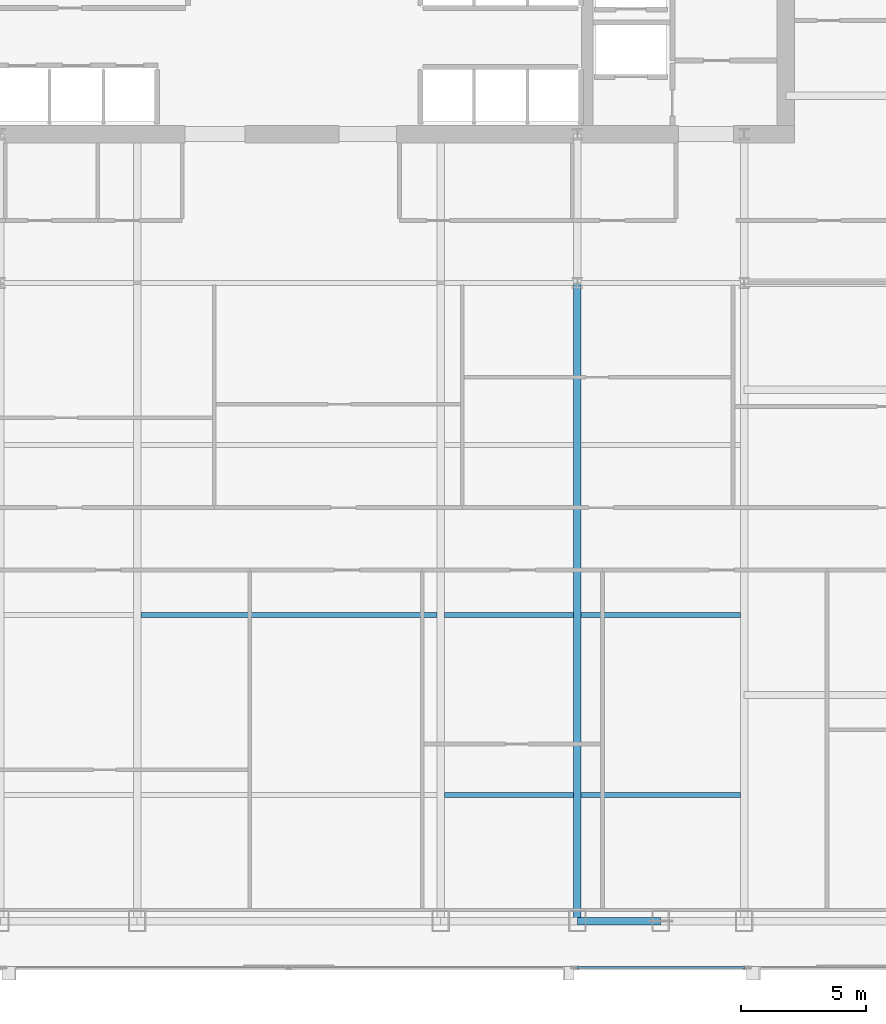
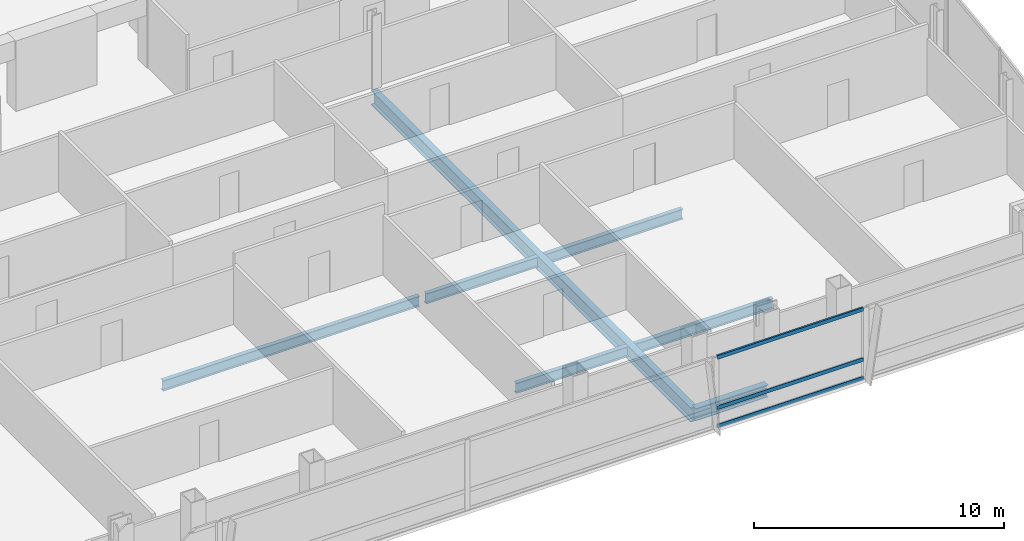
# One storey, part 14 of 29: 7 beams, 3 members, 1 element without a shape of its own.
"""IFC4 building model written with IfcOpenShell, lengths in metres."""

from ifc_helpers import new_model, si_unit, direction, frame, origin, origin_2d, place, context, subcontext, project, spatial, hollow_rectangle, i_section, extrude, material, material_profile, profile_set, type_object, element, aggregate, save


model = new_model("IFC4")

# Units and contexts
model_context = context("Model", 3, precision=1e-05, world=origin(), true_north=direction((0.0, 1.0)))
body_context = subcontext(model_context, "Body", "Model", "MODEL_VIEW")
ifc_project = project(units=[si_unit("LENGTHUNIT", "METRE"), si_unit("AREAUNIT", "SQUARE_METRE"), si_unit("VOLUMEUNIT", "CUBIC_METRE"), si_unit("PLANEANGLEUNIT", "RADIAN"), si_unit("MASSUNIT", "GRAM", prefix="KILO")], contexts=[model_context])

# Site, building, storey
site_placement = place(None, origin())
site = spatial("IfcSite", under=ifc_project, at=site_placement, CompositionType="ELEMENT")
building_placement = place(site_placement, origin())
building = spatial("IfcBuilding", under=site, at=building_placement, Name="Khoronbel Lancet Exchange", CompositionType="ELEMENT")
storey_placement = place(building_placement, frame((0.0, 0.0, 143.39990234375)))
storey = spatial("IfcBuildingStorey", under=building, at=storey_placement, Name="L35", CompositionType="ELEMENT", Elevation=143.39990234375)

# Beams
ifc_material_1 = material(Name="Steel S355", Category="steel")
ifc_material_profile_1 = material_profile(ifc_material_1, i_section(OverallWidth=0.300048828125, OverallDepth=0.699951171875, WebThickness=0.01708984375, FlangeThickness=0.031982421875, at=origin_2d()), Name="HEB 700")
ifc_profile_set_1 = profile_set([ifc_material_profile_1], Name="Steel S355")
beam_type_1 = type_object("IfcBeamType", Name="BM-BG3", PredefinedType="BEAM", material=ifc_profile_set_1)
beam_1_placement = place(storey_placement, frame((48.0, 10.14990234375, -0.510009765625), z_axis=(0.0, 1.0, 0.0), x_axis=(-1.0, 0.0, 0.0)))
element("IfcBeam", 1, at=beam_1_placement, inside=storey, type_object=beam_type_1, Name="Level L35 south primary girder GS5", PredefinedType="BEAM", context=body_context, shape_type="SweptSolid", body=[
    extrude(i_section(OverallWidth=0.300048828125, OverallDepth=0.699951171875, WebThickness=0.01708984375, FlangeThickness=0.031982421875, at=origin_2d()), origin(), (0.0, 0.0, 1.0), 25.550048828125),
])
ifc_material_profile_2 = material_profile(ifc_material_1, i_section(OverallWidth=0.199951171875, OverallDepth=0.5, WebThickness=0.01025390625, FlangeThickness=0.01611328125, at=origin_2d()), Name="IPE 500")
ifc_profile_set_2 = profile_set([ifc_material_profile_2], Name="Steel S355")
beam_type_2 = type_object("IfcBeamType", Name="BM-BJ3", PredefinedType="JOIST", material=ifc_profile_set_2)
beam_2_placement = place(storey_placement, frame((42.675048828125, 15.199951171875, -0.409912109375), z_axis=(1.0, 0.0, 0.0), x_axis=(0.0, 1.0, 0.0)))
element("IfcBeam", 2, at=beam_2_placement, inside=storey, type_object=beam_type_2, Name="Level L35 secondary composite joist J04", PredefinedType="JOIST", context=body_context, shape_type="SweptSolid", body=[
    extrude(i_section(OverallWidth=0.199951171875, OverallDepth=0.5, WebThickness=0.01025390625, FlangeThickness=0.01611328125, at=origin_2d()), origin(), (0.0, 0.0, 1.0), 5.175048828125),
])
beam_3_placement = place(storey_placement, frame((48.14990234375, 15.199951171875, -0.409912109375), z_axis=(1.0, 0.0, 0.0), x_axis=(0.0, 1.0, 0.0)))
element("IfcBeam", 3, at=beam_3_placement, inside=storey, type_object=beam_type_2, Name="Level L35 secondary composite joist J05", PredefinedType="JOIST", context=body_context, shape_type="SweptSolid", body=[
    extrude(i_section(OverallWidth=0.199951171875, OverallDepth=0.5, WebThickness=0.01025390625, FlangeThickness=0.01611328125, at=origin_2d()), origin(), (0.0, 0.0, 1.0), 6.375),
])
beam_4_placement = place(storey_placement, frame((30.52490234375, 22.39990234375, -0.409912109375), z_axis=(1.0, 0.0, 0.0), x_axis=(0.0, 1.0, 0.0)))
element("IfcBeam", 4, at=beam_4_placement, inside=storey, type_object=beam_type_2, Name="Level L35 secondary composite joist J08", PredefinedType="JOIST", context=body_context, shape_type="SweptSolid", body=[
    extrude(i_section(OverallWidth=0.199951171875, OverallDepth=0.5, WebThickness=0.01025390625, FlangeThickness=0.01611328125, at=origin_2d()), origin(), (0.0, 0.0, 1.0), 11.85009765625),
])
beam_5_placement = place(storey_placement, frame((42.675048828125, 22.39990234375, -0.409912109375), z_axis=(1.0, 0.0, 0.0), x_axis=(0.0, 1.0, 0.0)))
element("IfcBeam", 5, at=beam_5_placement, inside=storey, type_object=beam_type_2, Name="Level L35 secondary composite joist J09", PredefinedType="JOIST", context=body_context, shape_type="SweptSolid", body=[
    extrude(i_section(OverallWidth=0.199951171875, OverallDepth=0.5, WebThickness=0.01025390625, FlangeThickness=0.01611328125, at=origin_2d()), origin(), (0.0, 0.0, 1.0), 5.175048828125),
])
beam_6_placement = place(storey_placement, frame((48.14990234375, 22.39990234375, -0.409912109375), z_axis=(1.0, 0.0, 0.0), x_axis=(0.0, 1.0, 0.0)))
element("IfcBeam", 6, at=beam_6_placement, inside=storey, type_object=beam_type_2, Name="Level L35 secondary composite joist J10", PredefinedType="JOIST", context=body_context, shape_type="SweptSolid", body=[
    extrude(i_section(OverallWidth=0.199951171875, OverallDepth=0.5, WebThickness=0.01025390625, FlangeThickness=0.01611328125, at=origin_2d()), origin(), (0.0, 0.0, 1.0), 6.375),
])
ifc_material_profile_3 = material_profile(ifc_material_1, i_section(OverallWidth=0.300048828125, OverallDepth=0.60009765625, WebThickness=0.015380859375, FlangeThickness=0.030029296875, at=origin_2d()), Name="HEB 600")
ifc_profile_set_3 = profile_set([ifc_material_profile_3], Name="Steel S355")
beam_type_3 = type_object("IfcBeamType", Name="BM-BSP2", PredefinedType="SPANDREL", material=ifc_profile_set_3)
beam_7_placement = place(storey_placement, frame((48.0, 10.14990234375, -0.4599609375), z_axis=(1.0, 0.0, 0.0), x_axis=(0.0, 1.0, 0.0)))
element("IfcBeam", 7, at=beam_7_placement, inside=storey, type_object=beam_type_3, Name="Level L35 perimeter spandrel beam SP07", PredefinedType="SPANDREL", context=body_context, shape_type="SweptSolid", body=[
    extrude(i_section(OverallWidth=0.300048828125, OverallDepth=0.60009765625, WebThickness=0.015380859375, FlangeThickness=0.030029296875, at=origin_2d()), origin(), (0.0, 0.0, 1.0), 3.33740234375),
])

# Curtain wall, members
ifc_material_2 = material(Name="Low-E Solar Control Insulating Glass", Category="glass")
curtain_wall_type = type_object("IfcCurtainWallType", Name="CW-3", PredefinedType="NOTDEFINED", material=ifc_material_2)
curtain_wall_placement = place(storey_placement, origin())
curtain_wall = element("IfcCurtainWall", 8, at=curtain_wall_placement, inside=storey, type_object=curtain_wall_type, Name="Unitised curtain wall CW-L35-SEB", PredefinedType="NOTDEFINED")
ifc_material_3 = material(Name="Bronze-Anodised Aluminium 6063-T6", Category="aluminium")
ifc_material_profile_4 = material_profile(ifc_material_3, hollow_rectangle(XDim=0.0849609375, YDim=0.179931640625, WallThickness=0.0048828125, at=origin_2d()), Name="ALU TRANSOM 85x180")
ifc_profile_set_4 = profile_set([ifc_material_profile_4], Name="Bronze-Anodised Aluminium 6063-T6")
member_type = type_object("IfcMemberType", Name="MEM-CWT1", PredefinedType="USERDEFINED", material=ifc_profile_set_4)
member_1_placement = place(storey_placement, frame((47.985107421875, 8.2900390625, 0.04248046875), z_axis=(1.0, 0.0, 0.0), x_axis=(0.0, 1.0, 0.0)))
member_1 = element("IfcMember", 9, at=member_1_placement, type_object=member_type, Name="CW3 transom 1.1", ObjectType="TRANSOM", PredefinedType="USERDEFINED", context=body_context, shape_type="SweptSolid", body=[
    extrude(hollow_rectangle(XDim=0.0849609375, YDim=0.179931640625, WallThickness=0.0048828125, at=origin_2d()), origin(), (0.0, 0.0, 1.0), 6.72998046875),
])
member_2_placement = place(storey_placement, frame((47.985107421875, 8.2900390625, 0.9501953125), z_axis=(1.0, 0.0, 0.0), x_axis=(0.0, 1.0, 0.0)))
member_2 = element("IfcMember", 10, at=member_2_placement, type_object=member_type, Name="CW3 transom 1.2", ObjectType="TRANSOM", PredefinedType="USERDEFINED", context=body_context, shape_type="SweptSolid", body=[
    extrude(hollow_rectangle(XDim=0.0849609375, YDim=0.179931640625, WallThickness=0.0048828125, at=origin_2d()), origin(), (0.0, 0.0, 1.0), 6.72998046875),
])
member_3_placement = place(storey_placement, frame((47.985107421875, 8.2900390625, 3.397705078125), z_axis=(1.0, 0.0, 0.0), x_axis=(0.0, 1.0, 0.0)))
member_3 = element("IfcMember", 11, at=member_3_placement, type_object=member_type, Name="CW3 transom 1.3", ObjectType="TRANSOM", PredefinedType="USERDEFINED", context=body_context, shape_type="SweptSolid", body=[
    extrude(hollow_rectangle(XDim=0.0849609375, YDim=0.179931640625, WallThickness=0.0048828125, at=origin_2d()), origin(), (0.0, 0.0, 1.0), 6.72998046875),
])
aggregate(curtain_wall, [member_1, member_2, member_3])

save(model, "model.ifc")
